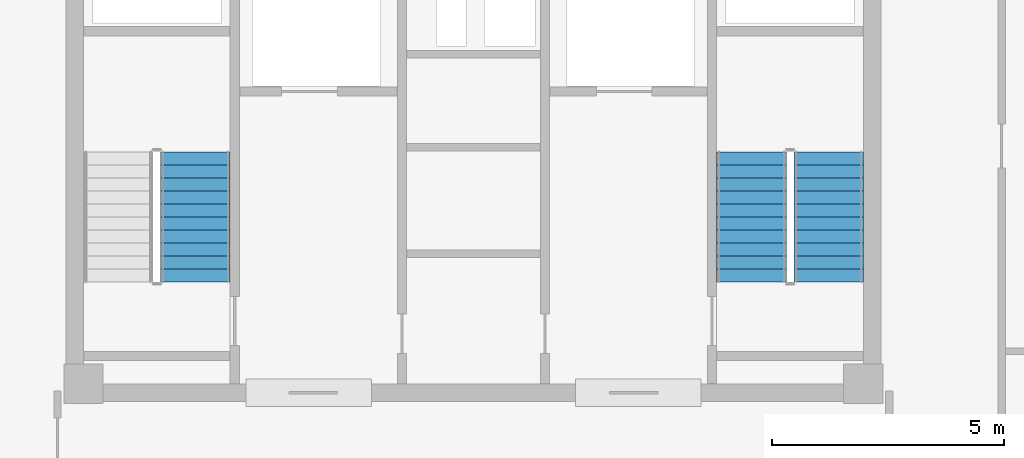
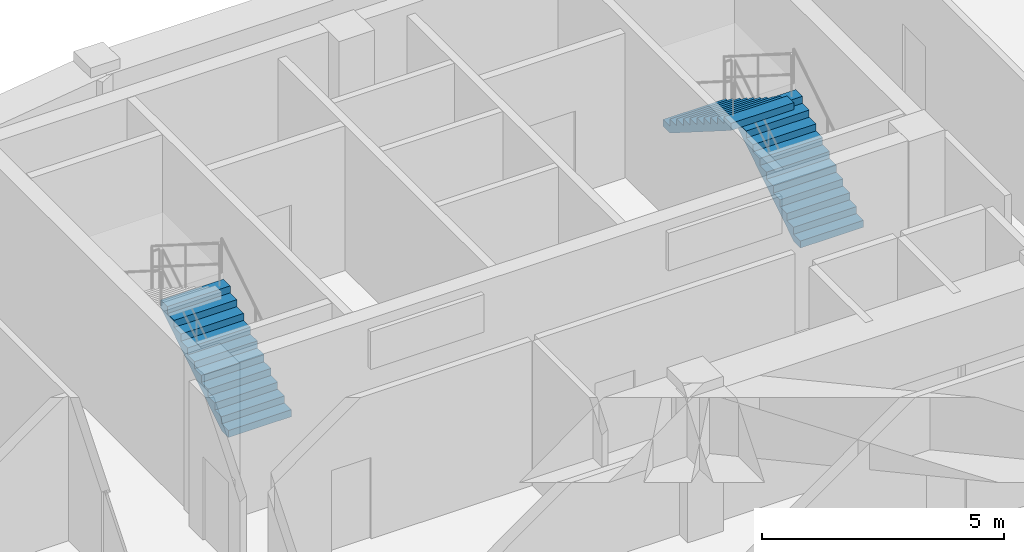
# One storey, part 12 of 13: 3 stair flights, 2 elements without a shape of their own.
"""IFC4 building model written with IfcOpenShell, lengths in metres."""

from ifc_helpers import new_model, si_unit, derived_unit, direction, frame, origin, place, context, subcontext, project, spatial, polyline, outline, extrude, material, type_object, element, aggregate, save


model = new_model("IFC4")

# Units and contexts
model_context = context("Model", 3, precision=1e-05, world=origin(), true_north=direction((0.0, 1.0)))
body_context = subcontext(model_context, "Body", "Model", "MODEL_VIEW")
ifc_project = project(units=[si_unit("LENGTHUNIT", "METRE"), si_unit("AREAUNIT", "SQUARE_METRE"), si_unit("VOLUMEUNIT", "CUBIC_METRE"), si_unit("PLANEANGLEUNIT", "RADIAN"), si_unit("MASSUNIT", "GRAM", prefix="KILO"), derived_unit("THERMALTRANSMITTANCEUNIT", [(si_unit("POWERUNIT", "WATT"), 1), (si_unit("LENGTHUNIT", "METRE"), -2), (si_unit("THERMODYNAMICTEMPERATUREUNIT", "KELVIN"), -1)])], contexts=[model_context])

# Site, building, storey
site_placement = place(None, origin())
site = spatial("IfcSite", under=ifc_project, at=site_placement, CompositionType="ELEMENT")
building_placement = place(site_placement, origin())
building = spatial("IfcBuilding", under=site, at=building_placement, Name="Korsvarv Bourse and Concert Hall", CompositionType="ELEMENT")
storey_placement = place(building_placement, frame((0.0, 0.0, 292.199951171875)))
storey = spatial("IfcBuildingStorey", under=building, at=storey_placement, Name="L76", CompositionType="ELEMENT", Elevation=292.199951171875)

# Stair, stair flight
ifc_material = material(Name="Precast concrete C45/55", Category="concrete")
stair_type = type_object("IfcStairType", Name="STR-TYPE-03", PredefinedType="HALF_TURN_STAIR", material=ifc_material)
stair_1_placement = place(storey_placement, origin())
stair_1 = element("IfcStair", 1, at=stair_1_placement, inside=storey, type_object=stair_type, Name="L76 Tower West Exit Stair ST-T1", PredefinedType="HALF_TURN_STAIR")
stair_flight_type = type_object("IfcStairFlightType", Name="FLT-TYPE-03", PredefinedType="STRAIGHT", material=ifc_material)
stair_flight_1_placement = place(storey_placement, frame((30.010009765625, 40.0, 0.0), z_axis=(0.0, 0.0, 1.0), x_axis=(0.0, 1.0, 0.0)))
stair_flight_1 = element("IfcStairFlight", 2, at=stair_flight_1_placement, type_object=stair_flight_type, Name="ST-T1 flight 1", NumberOfRisers=11, NumberOfTreads=10, PredefinedType="STRAIGHT", RiserHeight=0.177272727, TreadLength=0.28, context=body_context, shape_type="SweptSolid", body=[
    extrude(outline(polyline([(0.0, 0.0), (0.0, 0.17724609375), (0.280029296875, 0.17724609375), (0.280029296875, 0.3544921875), (0.56005859375, 0.3544921875), (0.56005859375, 0.53173828125), (0.840087890625, 0.53173828125), (0.840087890625, 0.708984375), (1.1201171875, 0.708984375), (1.1201171875, 0.886474609375), (1.39990234375, 0.886474609375), (1.39990234375, 1.063720703125), (1.679931640625, 1.063720703125), (1.679931640625, 1.240966796875), (1.9599609375, 1.240966796875), (1.9599609375, 1.418212890625), (2.239990234375, 1.418212890625), (2.239990234375, 1.595458984375), (2.52001953125, 1.595458984375), (2.52001953125, 1.772705078125), (2.800048828125, 1.772705078125), (2.800048828125, 1.949951171875), (2.800048828125, 1.59521484375), (0.2802734375, 0.0), (0.0, 0.0)])), frame((0.0, 0.75, 0.0), z_axis=(0.0, -1.0, 0.0), x_axis=(1.0, 0.0, 0.0)), (0.0, 0.0, 1.0), 1.5),
])
aggregate(stair_1, [stair_flight_1])

# Stair, stair flights
stair_2_placement = place(storey_placement, origin())
stair_2 = element("IfcStair", 3, at=stair_2_placement, inside=storey, type_object=stair_type, Name="L76 Tower East Exit Stair ST-T2", PredefinedType="HALF_TURN_STAIR")
stair_flight_2_placement = place(storey_placement, frame((43.64990234375, 40.0, 0.0), z_axis=(0.0, 0.0, 1.0), x_axis=(0.0, 1.0, 0.0)))
stair_flight_2 = element("IfcStairFlight", 4, at=stair_flight_2_placement, type_object=stair_flight_type, Name="ST-T2 flight 1", NumberOfRisers=11, NumberOfTreads=10, PredefinedType="STRAIGHT", RiserHeight=0.177272727, TreadLength=0.28, context=body_context, shape_type="SweptSolid", body=[
    extrude(outline(polyline([(0.0, 0.0), (0.0, 0.17724609375), (0.280029296875, 0.17724609375), (0.280029296875, 0.3544921875), (0.56005859375, 0.3544921875), (0.56005859375, 0.53173828125), (0.840087890625, 0.53173828125), (0.840087890625, 0.708984375), (1.1201171875, 0.708984375), (1.1201171875, 0.886474609375), (1.39990234375, 0.886474609375), (1.39990234375, 1.063720703125), (1.679931640625, 1.063720703125), (1.679931640625, 1.240966796875), (1.9599609375, 1.240966796875), (1.9599609375, 1.418212890625), (2.239990234375, 1.418212890625), (2.239990234375, 1.595458984375), (2.52001953125, 1.595458984375), (2.52001953125, 1.772705078125), (2.800048828125, 1.772705078125), (2.800048828125, 1.949951171875), (2.800048828125, 1.59521484375), (0.2802734375, 0.0), (0.0, 0.0)])), frame((0.0, 0.75, 0.0), z_axis=(0.0, -1.0, 0.0), x_axis=(1.0, 0.0, 0.0)), (0.0, 0.0, 1.0), 1.5),
])
stair_flight_3_placement = place(storey_placement, frame((41.989990234375, 42.800048828125, 1.949951171875), z_axis=(0.0, 0.0, 1.0), x_axis=(0.0, -1.0, 0.0)))
stair_flight_3 = element("IfcStairFlight", 5, at=stair_flight_3_placement, type_object=stair_flight_type, Name="ST-T2 flight 2", NumberOfRisers=11, NumberOfTreads=10, PredefinedType="STRAIGHT", RiserHeight=0.177272727, TreadLength=0.28, context=body_context, shape_type="SweptSolid", body=[
    extrude(outline(polyline([(0.0, 0.0), (0.0, 0.17724609375), (0.280029296875, 0.17724609375), (0.280029296875, 0.3544921875), (0.56005859375, 0.3544921875), (0.56005859375, 0.53173828125), (0.840087890625, 0.53173828125), (0.840087890625, 0.708984375), (1.1201171875, 0.708984375), (1.1201171875, 0.886474609375), (1.39990234375, 0.886474609375), (1.39990234375, 1.063720703125), (1.679931640625, 1.063720703125), (1.679931640625, 1.240966796875), (1.9599609375, 1.240966796875), (1.9599609375, 1.418212890625), (2.239990234375, 1.418212890625), (2.239990234375, 1.595458984375), (2.52001953125, 1.595458984375), (2.52001953125, 1.772705078125), (2.800048828125, 1.772705078125), (2.800048828125, 1.949951171875), (2.800048828125, 1.59521484375), (0.2802734375, 0.0), (0.0, 0.0)])), frame((0.0, 0.75, 0.0), z_axis=(0.0, -1.0, 0.0), x_axis=(1.0, 0.0, 0.0)), (0.0, 0.0, 1.0), 1.5),
])
aggregate(stair_2, [stair_flight_2, stair_flight_3])

save(model, "model.ifc")
